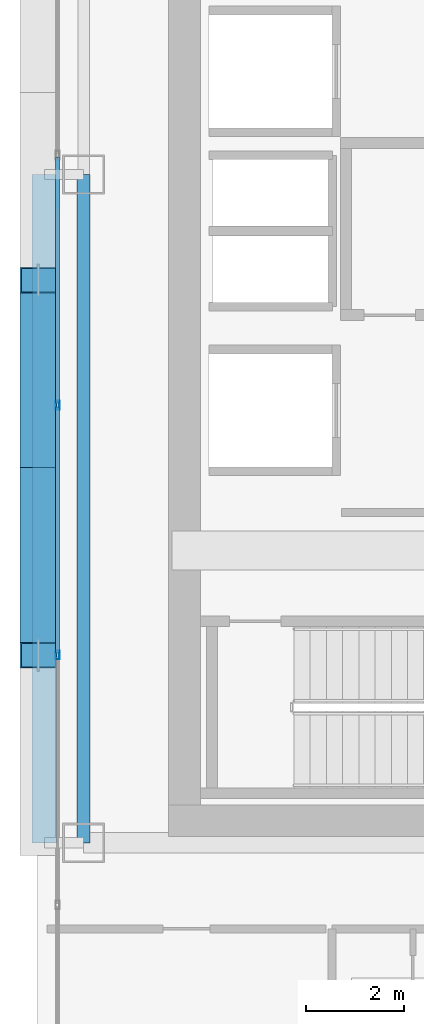
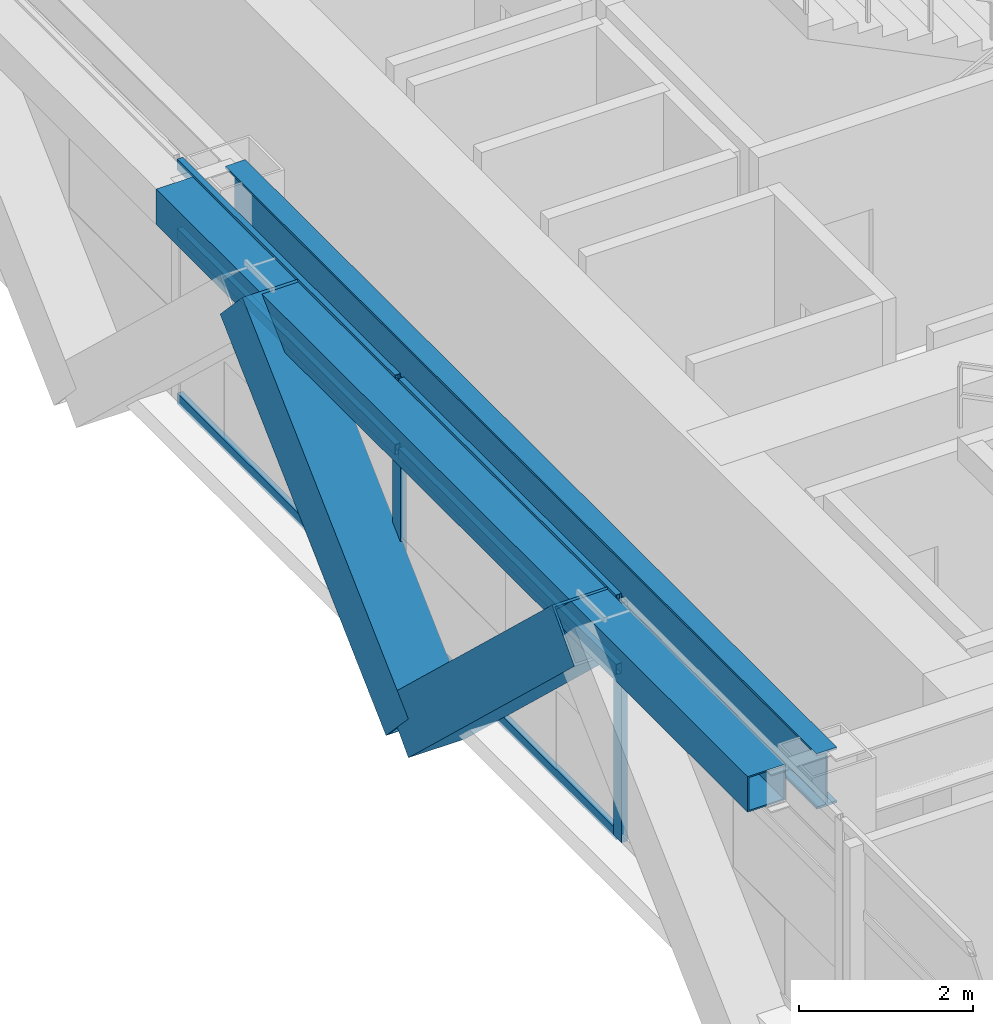
# One storey, part 6 of 35: 10 members, 2 beams, 1 element without a shape of its own.
"""IFC4 building model written with IfcOpenShell, lengths in metres."""

from ifc_helpers import new_model, si_unit, direction, frame, origin, origin_2d, place, context, subcontext, project, spatial, hollow_rectangle, i_section, extrude, source, transform, mapped, material, layer, layer_set, material_profile, profile_set, type_object, element, aggregate, save


model = new_model("IFC4")

# Units and contexts
model_context = context("Model", 3, precision=1e-05, world=origin(), true_north=direction((0.0, 1.0)))
body_context = subcontext(model_context, "Body", "Model", "MODEL_VIEW")
ifc_project = project(units=[si_unit("LENGTHUNIT", "METRE"), si_unit("AREAUNIT", "SQUARE_METRE"), si_unit("VOLUMEUNIT", "CUBIC_METRE"), si_unit("PLANEANGLEUNIT", "RADIAN"), si_unit("MASSUNIT", "GRAM", prefix="KILO")], contexts=[model_context])

# Site, building, storey
site_placement = place(None, origin())
site = spatial("IfcSite", under=ifc_project, at=site_placement, CompositionType="ELEMENT")
building_placement = place(site_placement, origin())
building = spatial("IfcBuilding", under=site, at=building_placement, Name="Ocotamira Hotel", CompositionType="ELEMENT")
storey_placement = place(building_placement, frame((0.0, 0.0, 118.800048828125)))
storey = spatial("IfcBuildingStorey", under=building, at=storey_placement, Name="L29", CompositionType="ELEMENT", Elevation=118.800048828125)

# Beams
ifc_material_1 = material(Name="Steel ASTM A992 Grade 50", Category="steel")
ifc_material_profile_1 = material_profile(ifc_material_1, i_section(OverallWidth=0.26611328125, OverallDepth=0.779052734375, WebThickness=0.0166015625, FlangeThickness=0.030029296875, FilletRadius=0.01806640625, at=origin_2d()), Name="W30X148")
ifc_profile_set_1 = profile_set([ifc_material_profile_1], Name="Steel ASTM A992 Grade 50")
beam_type_1 = type_object("IfcBeamType", Name="BM-GIRD-W30X148", PredefinedType="BEAM", material=ifc_profile_set_1)
shared_shape_1 = source(origin(), body_context, "Body", "SweptSolid", [
    extrude(i_section(OverallWidth=0.26611328125, OverallDepth=0.779052734375, WebThickness=0.0166015625, FlangeThickness=0.030029296875, FilletRadius=0.01806640625, at=origin_2d()), origin(), (0.0, 0.0, 1.0), 13.599853515625),
])
beam_1_placement = place(storey_placement, frame((8.949951171875, 14.550048828125, 2.970458984375), z_axis=(0.0, 1.0, 0.0), x_axis=(-1.0, 0.0, 0.0)))
element("IfcBeam", 1, at=beam_1_placement, inside=storey, type_object=beam_type_1, Name="L29 Beam X8.95 Y14.55-28.15", PredefinedType="BEAM", context=body_context, shape_type="MappedRepresentation", body=[
    mapped(shared_shape_1, transform((0.0, 0.0, 0.0), scale=1.0)),
])
ifc_material_2 = material(Name="Steel ASTM A500 Grade C", Category="steel")
ifc_material_profile_2 = material_profile(ifc_material_2, hollow_rectangle(XDim=0.5, YDim=0.5, WallThickness=0.02001953125, at=origin_2d()), Name="HSS500X500X20")
ifc_profile_set_2 = profile_set([ifc_material_profile_2], Name="Steel ASTM A500 Grade C")
beam_type_2 = type_object("IfcBeamType", Name="BM-SPAN-HSS500", PredefinedType="USERDEFINED", material=ifc_profile_set_2)
shared_shape_2 = source(origin(), body_context, "Body", "SweptSolid", [
    extrude(hollow_rectangle(XDim=0.5, YDim=0.5, WallThickness=0.02001953125, at=origin_2d()), origin(), (0.0, 0.0, 1.0), 13.599853515625),
])
beam_2_placement = place(storey_placement, frame((8.14990234375, 14.550048828125, 3.10986328125), z_axis=(0.0, 1.0, 0.0), x_axis=(-1.0, 0.0, 0.0)))
element("IfcBeam", 2, at=beam_2_placement, inside=storey, type_object=beam_type_2, Name="L29 Edge Spandrel W Y14.55-28.15", ObjectType="SPANDREL", PredefinedType="USERDEFINED", context=body_context, shape_type="MappedRepresentation", body=[
    mapped(shared_shape_2, transform((0.0, 0.0, 0.0), scale=1.0)),
])

# Members
ifc_material_3 = material(Name="Pale-metal coated steel ASTM A913 Grade 65", Category="steel")
ifc_material_profile_3 = material_profile(ifc_material_3, hollow_rectangle(XDim=0.75, YDim=0.75, WallThickness=0.028076171875, at=origin_2d()), Name="BOX750X750X28")
ifc_profile_set_3 = profile_set([ifc_material_profile_3], Name="Pale-metal coated steel ASTM A913 Grade 65")
member_type_1 = type_object("IfcMemberType", Name="MEM-EXO-BOX750", PredefinedType="BRACE", material=ifc_profile_set_3)
shared_shape_3 = source(origin(), body_context, "Body", "SweptSolid", [
    extrude(hollow_rectangle(XDim=0.75, YDim=0.75, WallThickness=0.028076171875, at=origin_2d()), origin(), (0.0, 0.0, 1.0), 5.24658203125),
])
for number, where, z_axis, x_axis, name in (
    (3, (8.030029296875, 22.183349609375, -0.489990234375), (0.0, -0.72746596067, 0.686143772154), (1.0, 0.0, 0.0), "L29 Exoskeleton Diagrid W0.2"),
    (4, (8.030029296875, 22.183349609375, -0.489990234375), (0.0, 0.72746596067, 0.686143772154), (-1.0, 0.0, 0.0), "L29 Exoskeleton Diagrid W1.1"),
):
    element("IfcMember", number, at=place(storey_placement, frame(where, z_axis=z_axis, x_axis=x_axis)), inside=storey, type_object=member_type_1, Name=name, PredefinedType="BRACE", context=body_context, shape_type="MappedRepresentation", body=[
        mapped(shared_shape_3, transform((0.0, 0.0, 0.0), scale=1.0)),
    ])

# Curtain wall, members
ifc_material_4 = material(Name="Anodised pale-metal aluminium and solar glass", Category="aluminium")
ifc_layer = layer(ifc_material_4, 0.179931640625)
ifc_layer_set = layer_set([ifc_layer], Name="Anodised pale-metal aluminium and solar glass")
curtain_wall_type = type_object("IfcCurtainWallType", Name="CW-SYS3-Z2", PredefinedType="NOTDEFINED", material=ifc_layer_set)
curtain_wall_placement = place(storey_placement, origin())
curtain_wall = element("IfcCurtainWall", 5, at=curtain_wall_placement, inside=storey, type_object=curtain_wall_type, Name="L29 Curtain Wall CW-3 CW-L29-W", PredefinedType="NOTDEFINED")
ifc_material_5 = material(Name="Anodised pale-metal aluminium 6063-T6", Category="aluminium")
ifc_material_profile_4 = material_profile(ifc_material_5, hollow_rectangle(XDim=0.074951171875, YDim=0.14990234375, WallThickness=0.006103515625, at=origin_2d()), Name="HSS150X75X6")
ifc_profile_set_4 = profile_set([ifc_material_profile_4], Name="Anodised pale-metal aluminium 6063-T6")
member_type_2 = type_object("IfcMemberType", Name="CWT-150X75", PredefinedType="USERDEFINED", material=ifc_profile_set_4)
shared_shape_4 = source(origin(), body_context, "Body", "SweptSolid", [
    extrude(hollow_rectangle(XDim=0.074951171875, YDim=0.14990234375, WallThickness=0.006103515625, at=origin_2d()), origin(), (0.0, 0.0, 1.0), 5.005859375),
])
member_1_placement = place(storey_placement, frame((8.419921875, 18.411376953125, 0.037353515625), z_axis=(0.0, 1.0, 0.0), x_axis=(-1.0, 0.0, 0.0)))
member_1 = element("IfcMember", 6, at=member_1_placement, type_object=member_type_2, Name="CW-3 transom 3.1", ObjectType="TRANSOM", PredefinedType="USERDEFINED", context=body_context, shape_type="MappedRepresentation", body=[
    mapped(shared_shape_4, transform((0.0, 0.0, 0.0), scale=1.0)),
])
member_2_placement = place(storey_placement, frame((8.419921875, 18.411376953125, 2.349853515625), z_axis=(0.0, 1.0, 0.0), x_axis=(-1.0, 0.0, 0.0)))
member_2 = element("IfcMember", 7, at=member_2_placement, type_object=member_type_2, Name="CW-3 transom 3.2", ObjectType="TRANSOM", PredefinedType="USERDEFINED", context=body_context, shape_type="MappedRepresentation", body=[
    mapped(shared_shape_4, transform((0.0, 0.0, 0.0), scale=1.0)),
])
member_3_placement = place(storey_placement, frame((8.419921875, 18.411376953125, 3.322509765625), z_axis=(0.0, 1.0, 0.0), x_axis=(-1.0, 0.0, 0.0)))
member_3 = element("IfcMember", 8, at=member_3_placement, type_object=member_type_2, Name="CW-3 transom 3.3", ObjectType="TRANSOM", PredefinedType="USERDEFINED", context=body_context, shape_type="MappedRepresentation", body=[
    mapped(shared_shape_4, transform((0.0, 0.0, 0.0), scale=1.0)),
])
member_4_placement = place(storey_placement, frame((8.419921875, 23.4970703125, 0.037353515625), z_axis=(0.0, 1.0, 0.0), x_axis=(-1.0, 0.0, 0.0)))
member_4 = element("IfcMember", 9, at=member_4_placement, type_object=member_type_2, Name="CW-3 transom 4.1", ObjectType="TRANSOM", PredefinedType="USERDEFINED", context=body_context, shape_type="MappedRepresentation", body=[
    mapped(shared_shape_4, transform((0.0, 0.0, 0.0), scale=1.0)),
])
member_5_placement = place(storey_placement, frame((8.419921875, 23.4970703125, 2.349853515625), z_axis=(0.0, 1.0, 0.0), x_axis=(-1.0, 0.0, 0.0)))
member_5 = element("IfcMember", 10, at=member_5_placement, type_object=member_type_2, Name="CW-3 transom 4.2", ObjectType="TRANSOM", PredefinedType="USERDEFINED", context=body_context, shape_type="MappedRepresentation", body=[
    mapped(shared_shape_4, transform((0.0, 0.0, 0.0), scale=1.0)),
])
member_6_placement = place(storey_placement, frame((8.419921875, 23.4970703125, 3.322509765625), z_axis=(0.0, 1.0, 0.0), x_axis=(-1.0, 0.0, 0.0)))
member_6 = element("IfcMember", 11, at=member_6_placement, type_object=member_type_2, Name="CW-3 transom 4.3", ObjectType="TRANSOM", PredefinedType="USERDEFINED", context=body_context, shape_type="MappedRepresentation", body=[
    mapped(shared_shape_4, transform((0.0, 0.0, 0.0), scale=1.0)),
])
ifc_material_profile_5 = material_profile(ifc_material_5, hollow_rectangle(XDim=0.080078125, YDim=0.179931640625, WallThickness=0.006103515625, at=origin_2d()), Name="HSS180X80X6")
ifc_profile_set_5 = profile_set([ifc_material_profile_5], Name="Anodised pale-metal aluminium 6063-T6")
member_type_3 = type_object("IfcMemberType", Name="CWM-180X75", PredefinedType="MULLION", material=ifc_profile_set_5)
shared_shape_5 = source(origin(), body_context, "Body", "SweptSolid", [
    extrude(hollow_rectangle(XDim=0.080078125, YDim=0.179931640625, WallThickness=0.006103515625, at=origin_2d()), origin(), (0.0, 0.0, 1.0), 3.35986328125),
])
member_7_placement = place(storey_placement, frame((8.419921875, 18.371337890625, 0.0), z_axis=(0.0, 0.0, 1.0), x_axis=(-1.0, 0.0, 0.0)))
member_7 = element("IfcMember", 12, at=member_7_placement, type_object=member_type_3, Name="CW-3 mullion 3", PredefinedType="MULLION", context=body_context, shape_type="MappedRepresentation", body=[
    mapped(shared_shape_5, transform((0.0, 0.0, 0.0), scale=1.0)),
])
member_8_placement = place(storey_placement, frame((8.419921875, 23.45703125, 0.0), z_axis=(0.0, 0.0, 1.0), x_axis=(-1.0, 0.0, 0.0)))
member_8 = element("IfcMember", 13, at=member_8_placement, type_object=member_type_3, Name="CW-3 mullion 4", PredefinedType="MULLION", context=body_context, shape_type="MappedRepresentation", body=[
    mapped(shared_shape_5, transform((0.0, 0.0, 0.0), scale=1.0)),
])
aggregate(curtain_wall, [member_7, member_8, member_1, member_2, member_3, member_4, member_5, member_6])

save(model, "model.ifc")
